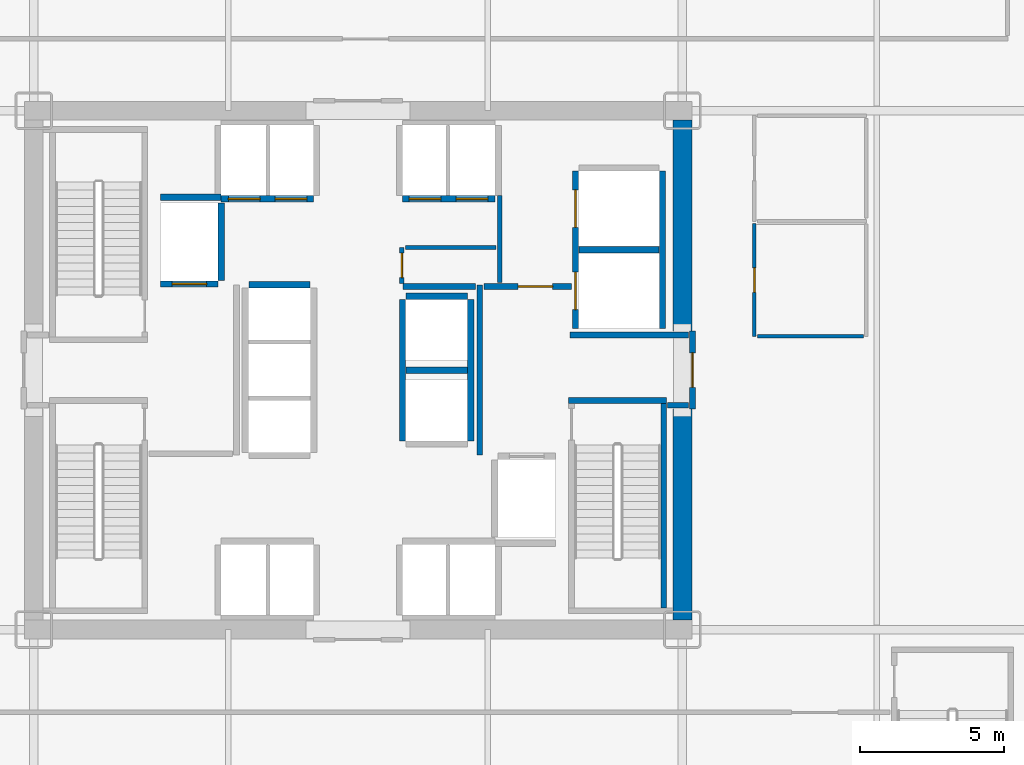
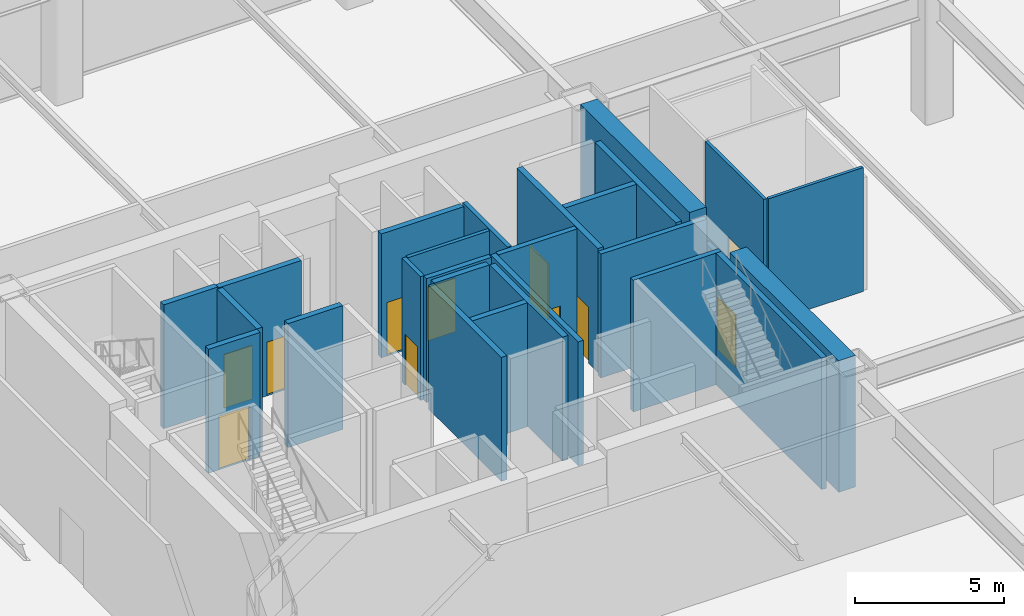
# One storey, part 18 of 24: 28 walls, 11 doors, 11 openings.
"""IFC4 building model written with IfcOpenShell, lengths in metres."""

from ifc_helpers import new_model, si_unit, direction, frame, frame_2d, origin, place, context, subcontext, project, spatial, rectangle, extrude, source, transform, mapped, material, layer, layer_set, type_object, element, fill, save


model = new_model("IFC4")

# Units and contexts
model_context = context("Model", 3, precision=1e-05, world=origin(), true_north=direction((0.0, 1.0)))
body_context = subcontext(model_context, "Body", "Model", "MODEL_VIEW")
ifc_project = project(units=[si_unit("LENGTHUNIT", "METRE"), si_unit("AREAUNIT", "SQUARE_METRE"), si_unit("VOLUMEUNIT", "CUBIC_METRE"), si_unit("PLANEANGLEUNIT", "RADIAN"), si_unit("MASSUNIT", "GRAM", prefix="KILO")], contexts=[model_context])

# Site, building, storey
site_placement = place(None, origin())
site = spatial("IfcSite", under=ifc_project, at=site_placement, CompositionType="ELEMENT")
building_placement = place(site_placement, origin())
building = spatial("IfcBuilding", under=site, at=building_placement, Name="Nefas-Gora Pilgrimage Tower", CompositionType="ELEMENT")
storey_placement = place(building_placement, frame((0.0, 0.0, 6.0)))
storey = spatial("IfcBuildingStorey", under=building, at=storey_placement, Name="L01", CompositionType="ELEMENT", Elevation=6.0)

# Walls
ifc_material_1 = material(Name="Concrete C60/75", Category="concrete")
ifc_layer_1 = layer(ifc_material_1, 0.64990234375)
ifc_layer_set_1 = layer_set([ifc_layer_1], Name="Concrete C60/75")
wall_type_1 = type_object("IfcWallType", Name="SW-CORE-650", PredefinedType="SHEAR", material=ifc_layer_set_1)
shared_shape_1 = source(origin(), body_context, "Body", "SweptSolid", [
    extrude(rectangle(XDim=7.324951171875, YDim=0.64990234375, at=frame_2d((3.66259765625, 0.0))), origin(), (0.0, 0.0, 1.0), 5.39990234375),
])
for number, where, z_axis, x_axis, name in (
    (1, (11.25, -8.675048828125, 0.0), (0.0, 0.0, 1.0), (0.0, 1.0, 0.0), "L01 Core Shear Wall E-South"),
    (2, (11.25, 1.35009765625, 0.0), (0.0, 0.0, 1.0), (0.0, 1.0, 0.0), "L01 Core Shear Wall E-North"),
):
    element("IfcWall", number, at=place(storey_placement, frame(where, z_axis=z_axis, x_axis=x_axis)), inside=storey, type_object=wall_type_1, Name=name, PredefinedType="SHEAR", context=body_context, shape_type="MappedRepresentation", body=[
        mapped(shared_shape_1, transform((0.0, 0.0, 0.0), x_axis=(1.0, 0.0, 0.0), y_axis=(0.0, 1.0, 0.0), z_axis=(0.0, 0.0, 1.0), scale=1.0)),
    ])
ifc_material_2 = material(Name="Concrete C45/55", Category="concrete")
ifc_layer_2 = layer(ifc_material_2, 0.199951171875)
ifc_layer_set_2 = layer_set([ifc_layer_2], Name="Concrete C45/55")
wall_type_2 = type_object("IfcWallType", Name="IW-STAIR-200", PredefinedType="SOLIDWALL", material=ifc_layer_set_2)
shared_shape_2 = source(origin(), body_context, "Body", "SweptSolid", [
    extrude(rectangle(XDim=3.39990234375, YDim=0.199951171875, at=frame_2d((1.699951171875, 0.0))), origin(), (0.0, 0.0, 1.0), 5.39990234375),
])
wall_1_placement = place(storey_placement, frame((7.300048828125, -1.050048828125, 0.0), z_axis=(0.0, 0.0, 1.0), x_axis=(1.0, 0.0, 0.0)))
element("IfcWall", 3, at=wall_1_placement, inside=storey, type_object=wall_type_2, Name="L01 Stairwell Shear Wall ST-02-near", PredefinedType="SOLIDWALL", context=body_context, shape_type="MappedRepresentation", body=[
    mapped(shared_shape_2, transform((0.0, 0.0, 0.0), x_axis=(1.0, 0.0, 0.0), y_axis=(0.0, 1.0, 0.0), z_axis=(0.0, 0.0, 1.0), scale=1.0)),
])
shared_shape_3 = source(origin(), body_context, "Body", "SweptSolid", [
    extrude(rectangle(XDim=7.10009765625, YDim=0.199951171875, at=frame_2d((3.550048828125, 0.0))), origin(), (0.0, 0.0, 1.0), 5.39990234375),
])
wall_2_placement = place(storey_placement, frame((10.60009765625, -1.14990234375, 0.0), z_axis=(0.0, 0.0, 1.0), x_axis=(0.0, -1.0, 0.0)))
element("IfcWall", 4, at=wall_2_placement, inside=storey, type_object=wall_type_2, Name="L01 Stairwell Shear Wall ST-02-right", PredefinedType="SOLIDWALL", context=body_context, shape_type="MappedRepresentation", body=[
    mapped(shared_shape_3, transform((0.0, 0.0, 0.0), x_axis=(1.0, 0.0, 0.0), y_axis=(0.0, 1.0, 0.0), z_axis=(0.0, 0.0, 1.0), scale=1.0)),
])

# Wall, opening, door
ifc_material_3 = material(Name="Concrete C40/50", Category="concrete")
ifc_layer_3 = layer(ifc_material_3, 0.219970703125)
ifc_layer_set_3 = layer_set([ifc_layer_3], Name="Concrete C40/50")
wall_type_3 = type_object("IfcWallType", Name="IW-SHAFT-220", PredefinedType="SOLIDWALL", material=ifc_layer_set_3)
shared_shape_4 = source(origin(), body_context, "Body", "SweptSolid", [
    extrude(rectangle(XDim=2.0, YDim=0.219970703125, at=frame_2d((1.0, 0.0))), origin(), (0.0, 0.0, 1.0), 5.0849609375),
])
wall_3_placement = place(storey_placement, frame((-6.85009765625, 2.989990234375, 0.0), z_axis=(0.0, 0.0, 1.0), x_axis=(1.0, 0.0, 0.0)))
wall_3 = element("IfcWall", 5, at=wall_3_placement, inside=storey, type_object=wall_type_3, Name="L01 Hoistway Wall FFL-01-S", PredefinedType="SOLIDWALL", context=body_context, shape_type="MappedRepresentation", body=[
    mapped(shared_shape_4, transform((0.0, 0.0, 0.0), x_axis=(1.0, 0.0, 0.0), y_axis=(0.0, 1.0, 0.0), z_axis=(0.0, 0.0, 1.0), scale=1.0)),
])
opening_1_placement = place(wall_3_placement, frame((0.39990234375, 0.0, 0.0)))
opening_1 = element("IfcOpeningElement", 6, at=opening_1_placement, cuts=wall_3, Name="Opening LD-FF", PredefinedType="OPENING", context=body_context, shape_type="SweptSolid", body=[
    extrude(rectangle(XDim=1.199951171875, YDim=2.199951171875, at=frame_2d((0.60009765625, 1.10009765625))), frame((0.0, 0.119873046875, 0.0), z_axis=(0.0, -1.0, 0.0), x_axis=(1.0, 0.0, 0.0)), (0.0, 0.0, 1.0), 0.239990234375),
])
ifc_material_4 = material(Name="Fire-service sliding lift landing door")
door_type_1 = type_object("IfcDoorType", Name="DR-LIFT-FSAE-1200", OperationType="SLIDING_TO_LEFT", PredefinedType="DOOR", material=ifc_material_4)
shared_shape_5 = source(origin(), body_context, "Body", "SweptSolid", [
    extrude(rectangle(XDim=1.199951171875, YDim=2.199951171875, at=frame_2d((0.60009765625, 1.10009765625))), frame((0.0, 0.02490234375, 0.0), z_axis=(0.0, -1.0, 0.0), x_axis=(1.0, 0.0, 0.0)), (0.0, 0.0, 1.0), 0.050048828125),
])
door_1_placement = place(opening_1_placement, origin())
door_1 = element("IfcDoor", 7, at=door_1_placement, inside=storey, type_object=door_type_1, Name="L01 Sliding Lift Landing Door FFL-01", OperationType="SLIDING_TO_LEFT", OverallHeight=2.199951171875, OverallWidth=1.199951171875, PredefinedType="DOOR", context=body_context, shape_type="MappedRepresentation", body=[
    mapped(shared_shape_5, transform((0.0, 0.0, 0.0), x_axis=(1.0, 0.0, 0.0), y_axis=(0.0, 1.0, 0.0), z_axis=(0.0, 0.0, 1.0), scale=1.0)),
])
fill(opening_1, door_1)

# Wall
shared_shape_6 = source(origin(), body_context, "Body", "SweptSolid", [
    extrude(rectangle(XDim=2.679931640625, YDim=0.219970703125, at=frame_2d((1.33984375, 0.0))), origin(), (0.0, 0.0, 1.0), 5.0849609375),
])
wall_4_placement = place(storey_placement, frame((-4.739990234375, 3.110107421875, 0.0), z_axis=(0.0, 0.0, 1.0), x_axis=(0.0, 1.0, 0.0)))
element("IfcWall", 8, at=wall_4_placement, inside=storey, type_object=wall_type_3, Name="L01 Hoistway Wall FFL-01-E", PredefinedType="SOLIDWALL", context=body_context, shape_type="MappedRepresentation", body=[
    mapped(shared_shape_6, transform((0.0, 0.0, 0.0), x_axis=(1.0, 0.0, 0.0), y_axis=(0.0, 1.0, 0.0), z_axis=(0.0, 0.0, 1.0), scale=1.0)),
])

# Wall, openings, doors
shared_shape_7 = source(origin(), body_context, "Body", "SweptSolid", [
    extrude(rectangle(XDim=5.449951171875, YDim=0.219970703125, at=frame_2d((2.72509765625, 0.0))), origin(), (0.0, 0.0, 1.0), 5.0849609375),
])
wall_5_placement = place(storey_placement, frame((7.5400390625, 6.89990234375, 0.0), z_axis=(0.0, 0.0, 1.0), x_axis=(0.0, -1.0, 0.0)))
wall_5 = element("IfcWall", 9, at=wall_5_placement, inside=storey, type_object=wall_type_3, Name="L01 Hoistway Wall SL-01-02-W", PredefinedType="SOLIDWALL", context=body_context, shape_type="MappedRepresentation", body=[
    mapped(shared_shape_7, transform((0.0, 0.0, 0.0), x_axis=(1.0, 0.0, 0.0), y_axis=(0.0, 1.0, 0.0), z_axis=(0.0, 0.0, 1.0), scale=1.0)),
])
opening_2_placement = place(wall_5_placement, frame((3.5, 0.0, 0.0)))
opening_2 = element("IfcOpeningElement", 10, at=opening_2_placement, cuts=wall_5, Name="Opening LD-SV", PredefinedType="OPENING", context=body_context, shape_type="SweptSolid", body=[
    extrude(rectangle(XDim=1.300048828125, YDim=2.300048828125, at=frame_2d((0.64990234375, 1.14990234375))), frame((0.0, 0.119873046875, 0.0), z_axis=(0.0, -1.0, 0.0), x_axis=(1.0, 0.0, 0.0)), (0.0, 0.0, 1.0), 0.239990234375),
])
opening_3_placement = place(wall_5_placement, frame((0.64990234375, 0.0, 0.0)))
opening_3 = element("IfcOpeningElement", 11, at=opening_3_placement, cuts=wall_5, Name="Opening LD-SV", PredefinedType="OPENING", context=body_context, shape_type="SweptSolid", body=[
    extrude(rectangle(XDim=1.300048828125, YDim=2.300048828125, at=frame_2d((0.64990234375, 1.14990234375))), frame((0.0, 0.119873046875, 0.0), z_axis=(0.0, -1.0, 0.0), x_axis=(1.0, 0.0, 0.0)), (0.0, 0.0, 1.0), 0.239990234375),
])
ifc_material_5 = material(Name="Heavy goods sliding lift landing door")
door_type_2 = type_object("IfcDoorType", Name="DR-LIFT-SERV-1300", OperationType="SLIDING_TO_RIGHT", PredefinedType="DOOR", material=ifc_material_5)
shared_shape_8 = source(origin(), body_context, "Body", "SweptSolid", [
    extrude(rectangle(XDim=1.300048828125, YDim=2.300048828125, at=frame_2d((0.64990234375, 1.14990234375))), frame((0.0, 0.02490234375, 0.0), z_axis=(0.0, -1.0, 0.0), x_axis=(1.0, 0.0, 0.0)), (0.0, 0.0, 1.0), 0.050048828125),
])
door_2_placement = place(opening_2_placement, origin())
door_2 = element("IfcDoor", 12, at=door_2_placement, inside=storey, type_object=door_type_2, Name="L01 Sliding Lift Landing Door SL-01", OperationType="SLIDING_TO_RIGHT", OverallHeight=2.300048828125, OverallWidth=1.300048828125, PredefinedType="DOOR", context=body_context, shape_type="MappedRepresentation", body=[
    mapped(shared_shape_8, transform((0.0, 0.0, 0.0), x_axis=(1.0, 0.0, 0.0), y_axis=(0.0, 1.0, 0.0), z_axis=(0.0, 0.0, 1.0), scale=1.0)),
])
fill(opening_2, door_2)
door_3_placement = place(opening_3_placement, origin())
door_3 = element("IfcDoor", 13, at=door_3_placement, inside=storey, type_object=door_type_2, Name="L01 Sliding Lift Landing Door SL-02", OperationType="SLIDING_TO_RIGHT", OverallHeight=2.300048828125, OverallWidth=1.300048828125, PredefinedType="DOOR", context=body_context, shape_type="MappedRepresentation", body=[
    mapped(shared_shape_8, transform((0.0, 0.0, 0.0), x_axis=(1.0, 0.0, 0.0), y_axis=(0.0, 1.0, 0.0), z_axis=(0.0, 0.0, 1.0), scale=1.0)),
])
fill(opening_3, door_3)

# Walls
wall_6_placement = place(storey_placement, frame((10.56005859375, 1.449951171875, 0.0), z_axis=(0.0, 0.0, 1.0), x_axis=(0.0, 1.0, 0.0)))
element("IfcWall", 14, at=wall_6_placement, inside=storey, type_object=wall_type_3, Name="L01 Hoistway Wall SL-01-02-E", PredefinedType="SOLIDWALL", context=body_context, shape_type="MappedRepresentation", body=[
    mapped(shared_shape_7, transform((0.0, 0.0, 0.0), x_axis=(1.0, 0.0, 0.0), y_axis=(0.0, 1.0, 0.0), z_axis=(0.0, 0.0, 1.0), scale=1.0)),
])
shared_shape_9 = source(origin(), body_context, "Body", "SweptSolid", [
    extrude(rectangle(XDim=2.780029296875, YDim=0.219970703125, at=frame_2d((1.39013671875, 0.0))), origin(), (0.0, 0.0, 1.0), 5.0849609375),
])
wall_7_placement = place(storey_placement, frame((7.659912109375, 4.175048828125, 0.0), z_axis=(0.0, 0.0, 1.0), x_axis=(1.0, 0.0, 0.0)))
element("IfcWall", 15, at=wall_7_placement, inside=storey, type_object=wall_type_3, Name="L01 Hoistway Wall SL-01-02-DIV", PredefinedType="SOLIDWALL", context=body_context, shape_type="MappedRepresentation", body=[
    mapped(shared_shape_9, transform((0.0, 0.0, 0.0), x_axis=(1.0, 0.0, 0.0), y_axis=(0.0, 1.0, 0.0), z_axis=(0.0, 0.0, 1.0), scale=1.0)),
])

# Wall, openings, doors
shared_shape_10 = source(origin(), body_context, "Body", "SweptSolid", [
    extrude(rectangle(XDim=3.199951171875, YDim=0.219970703125, at=frame_2d((1.60009765625, 0.0))), origin(), (0.0, 0.0, 1.0), 5.0849609375),
])
wall_8_placement = place(storey_placement, frame((-4.75, 5.93994140625, 0.0), z_axis=(0.0, 0.0, 1.0), x_axis=(1.0, 0.0, 0.0)))
wall_8 = element("IfcWall", 16, at=wall_8_placement, inside=storey, type_object=wall_type_3, Name="L01 Hoistway Wall PL1-W-S", PredefinedType="SOLIDWALL", context=body_context, shape_type="MappedRepresentation", body=[
    mapped(shared_shape_10, transform((0.0, 0.0, 0.0), x_axis=(1.0, 0.0, 0.0), y_axis=(0.0, 1.0, 0.0), z_axis=(0.0, 0.0, 1.0), scale=1.0)),
])
opening_4_placement = place(wall_8_placement, frame((0.25, 0.0, 0.0)))
opening_4 = element("IfcOpeningElement", 17, at=opening_4_placement, cuts=wall_8, Name="Opening LD-01", PredefinedType="OPENING", context=body_context, shape_type="SweptSolid", body=[
    extrude(rectangle(XDim=1.10009765625, YDim=2.199951171875, at=frame_2d((0.550048828125, 1.10009765625))), frame((0.0, 0.119873046875, 0.0), z_axis=(0.0, -1.0, 0.0), x_axis=(1.0, 0.0, 0.0)), (0.0, 0.0, 1.0), 0.239990234375),
])
opening_5_placement = place(wall_8_placement, frame((1.875, 0.0, 0.0)))
opening_5 = element("IfcOpeningElement", 18, at=opening_5_placement, cuts=wall_8, Name="Opening LD-01", PredefinedType="OPENING", context=body_context, shape_type="SweptSolid", body=[
    extrude(rectangle(XDim=1.10009765625, YDim=2.199951171875, at=frame_2d((0.550048828125, 1.10009765625))), frame((0.0, 0.119873046875, 0.0), z_axis=(0.0, -1.0, 0.0), x_axis=(1.0, 0.0, 0.0)), (0.0, 0.0, 1.0), 0.239990234375),
])
ifc_material_6 = material(Name="Brushed stainless sliding lift landing door")
door_type_3 = type_object("IfcDoorType", Name="DR-LIFT-PASS-1100", OperationType="DOUBLE_DOOR_SLIDING", PredefinedType="DOOR", material=ifc_material_6)
shared_shape_11 = source(origin(), body_context, "Body", "SweptSolid", [
    extrude(rectangle(XDim=1.10009765625, YDim=2.199951171875, at=frame_2d((0.550048828125, 1.10009765625))), frame((0.0, 0.02490234375, 0.0), z_axis=(0.0, -1.0, 0.0), x_axis=(1.0, 0.0, 0.0)), (0.0, 0.0, 1.0), 0.050048828125),
])
door_4_placement = place(opening_4_placement, origin())
door_4 = element("IfcDoor", 19, at=door_4_placement, inside=storey, type_object=door_type_3, Name="L01 Sliding Lift Landing Door PL1-01", OperationType="DOUBLE_DOOR_SLIDING", OverallHeight=2.199951171875, OverallWidth=1.10009765625, PredefinedType="DOOR", context=body_context, shape_type="MappedRepresentation", body=[
    mapped(shared_shape_11, transform((0.0, 0.0, 0.0), x_axis=(1.0, 0.0, 0.0), y_axis=(0.0, 1.0, 0.0), z_axis=(0.0, 0.0, 1.0), scale=1.0)),
])
fill(opening_4, door_4)
door_5_placement = place(opening_5_placement, origin())
door_5 = element("IfcDoor", 20, at=door_5_placement, inside=storey, type_object=door_type_3, Name="L01 Sliding Lift Landing Door PL1-02", OperationType="DOUBLE_DOOR_SLIDING", OverallHeight=2.199951171875, OverallWidth=1.10009765625, PredefinedType="DOOR", context=body_context, shape_type="MappedRepresentation", body=[
    mapped(shared_shape_11, transform((0.0, 0.0, 0.0), x_axis=(1.0, 0.0, 0.0), y_axis=(0.0, 1.0, 0.0), z_axis=(0.0, 0.0, 1.0), scale=1.0)),
])
fill(opening_5, door_5)

wall_9_placement = place(storey_placement, frame((1.550048828125, 5.93994140625, 0.0), z_axis=(0.0, 0.0, 1.0), x_axis=(1.0, 0.0, 0.0)))
wall_9 = element("IfcWall", 21, at=wall_9_placement, inside=storey, type_object=wall_type_3, Name="L01 Hoistway Wall PL1-E-S", PredefinedType="SOLIDWALL", context=body_context, shape_type="MappedRepresentation", body=[
    mapped(shared_shape_10, transform((0.0, 0.0, 0.0), x_axis=(1.0, 0.0, 0.0), y_axis=(0.0, 1.0, 0.0), z_axis=(0.0, 0.0, 1.0), scale=1.0)),
])
opening_6_placement = place(wall_9_placement, frame((0.22509765625, 0.0, 0.0)))
opening_6 = element("IfcOpeningElement", 22, at=opening_6_placement, cuts=wall_9, Name="Opening LD-01", PredefinedType="OPENING", context=body_context, shape_type="SweptSolid", body=[
    extrude(rectangle(XDim=1.10009765625, YDim=2.199951171875, at=frame_2d((0.550048828125, 1.10009765625))), frame((0.0, 0.119873046875, 0.0), z_axis=(0.0, -1.0, 0.0), x_axis=(1.0, 0.0, 0.0)), (0.0, 0.0, 1.0), 0.239990234375),
])
opening_7_placement = place(wall_9_placement, frame((1.85009765625, 0.0, 0.0)))
opening_7 = element("IfcOpeningElement", 23, at=opening_7_placement, cuts=wall_9, Name="Opening LD-01", PredefinedType="OPENING", context=body_context, shape_type="SweptSolid", body=[
    extrude(rectangle(XDim=1.10009765625, YDim=2.199951171875, at=frame_2d((0.550048828125, 1.10009765625))), frame((0.0, 0.119873046875, 0.0), z_axis=(0.0, -1.0, 0.0), x_axis=(1.0, 0.0, 0.0)), (0.0, 0.0, 1.0), 0.239990234375),
])
door_6_placement = place(opening_6_placement, origin())
door_6 = element("IfcDoor", 24, at=door_6_placement, inside=storey, type_object=door_type_3, Name="L01 Sliding Lift Landing Door PL1-03", OperationType="DOUBLE_DOOR_SLIDING", OverallHeight=2.199951171875, OverallWidth=1.10009765625, PredefinedType="DOOR", context=body_context, shape_type="MappedRepresentation", body=[
    mapped(shared_shape_11, transform((0.0, 0.0, 0.0), x_axis=(1.0, 0.0, 0.0), y_axis=(0.0, 1.0, 0.0), z_axis=(0.0, 0.0, 1.0), scale=1.0)),
])
fill(opening_6, door_6)
door_7_placement = place(opening_7_placement, origin())
door_7 = element("IfcDoor", 25, at=door_7_placement, inside=storey, type_object=door_type_3, Name="L01 Sliding Lift Landing Door PL1-04", OperationType="DOUBLE_DOOR_SLIDING", OverallHeight=2.199951171875, OverallWidth=1.10009765625, PredefinedType="DOOR", context=body_context, shape_type="MappedRepresentation", body=[
    mapped(shared_shape_11, transform((0.0, 0.0, 0.0), x_axis=(1.0, 0.0, 0.0), y_axis=(0.0, 1.0, 0.0), z_axis=(0.0, 0.0, 1.0), scale=1.0)),
])
fill(opening_7, door_7)

# Walls
shared_shape_12 = source(origin(), body_context, "Body", "SweptSolid", [
    extrude(rectangle(XDim=2.130126953125, YDim=0.219970703125, at=frame_2d((1.06494140625, 0.0))), origin(), (0.0, 0.0, 1.0), 5.0849609375),
])
for number, where, z_axis, x_axis, name in (
    (26, (-1.659912109375, 2.9599609375, 0.0), (0.0, 0.0, 1.0), (-1.0, 0.0, 0.0), "L01 Hoistway Wall PL3-03-N"),
    (27, (1.659912109375, 0.0, 0.0), (0.0, 0.0, 1.0), (1.0, 0.0, 0.0), "L01 Hoistway Wall OBS-01-02-DIV"),
    (28, (3.7900390625, 2.56005859375, 0.0), (0.0, 0.0, 1.0), (-1.0, 0.0, 0.0), "L01 Hoistway Wall OBS-02-N"),
):
    element("IfcWall", number, at=place(storey_placement, frame(where, z_axis=z_axis, x_axis=x_axis)), inside=storey, type_object=wall_type_3, Name=name, PredefinedType="SOLIDWALL", context=body_context, shape_type="MappedRepresentation", body=[
        mapped(shared_shape_12, transform((0.0, 0.0, 0.0), x_axis=(1.0, 0.0, 0.0), y_axis=(0.0, 1.0, 0.0), z_axis=(0.0, 0.0, 1.0), scale=1.0)),
    ])
shared_shape_13 = source(origin(), body_context, "Body", "SweptSolid", [
    extrude(rectangle(XDim=4.89990234375, YDim=0.219970703125, at=frame_2d((2.449951171875, 0.0))), origin(), (0.0, 0.0, 1.0), 5.0849609375),
])
for number, where, z_axis, x_axis, name in (
    (29, (1.5400390625, 2.449951171875, 0.0), (0.0, 0.0, 1.0), (0.0, -1.0, 0.0), "L01 Hoistway Wall OBS-01-02-W"),
    (30, (3.909912109375, -2.449951171875, 0.0), (0.0, 0.0, 1.0), (0.0, 1.0, 0.0), "L01 Hoistway Wall OBS-01-02-E"),
):
    element("IfcWall", number, at=place(storey_placement, frame(where, z_axis=z_axis, x_axis=x_axis)), inside=storey, type_object=wall_type_3, Name=name, PredefinedType="SOLIDWALL", context=body_context, shape_type="MappedRepresentation", body=[
        mapped(shared_shape_13, transform((0.0, 0.0, 0.0), x_axis=(1.0, 0.0, 0.0), y_axis=(0.0, 1.0, 0.0), z_axis=(0.0, 0.0, 1.0), scale=1.0)),
    ])
shared_shape_14 = source(origin(), body_context, "Body", "SweptSolid", [
    extrude(rectangle(XDim=2.09521484375, YDim=0.219970703125, at=frame_2d((1.047607421875, 0.0))), origin(), (0.0, 0.0, 1.0), 5.0849609375),
])
wall_10_placement = place(storey_placement, frame((-6.85009765625, 6.0, 0.0), z_axis=(0.0, 0.0, 1.0), x_axis=(1.0, 0.0, 0.0)))
element("IfcWall", 31, at=wall_10_placement, inside=storey, type_object=wall_type_3, Name="L01 Riser Shaft Wall 1", PredefinedType="SOLIDWALL", context=body_context, shape_type="MappedRepresentation", body=[
    mapped(shared_shape_14, transform((0.0, 0.0, 0.0), x_axis=(1.0, 0.0, 0.0), y_axis=(0.0, 1.0, 0.0), z_axis=(0.0, 0.0, 1.0), scale=1.0)),
])

# Wall, opening, door
ifc_material_7 = material(Name="Gypsum fire-rated shaftwall")
ifc_layer_4 = layer(ifc_material_7, 0.199951171875)
ifc_layer_set_4 = layer_set([ifc_layer_4], Name="Gypsum fire-rated shaftwall")
wall_type_4 = type_object("IfcWallType", Name="IW-FFLOB-200", PredefinedType="PARTITIONING", material=ifc_layer_set_4)
shared_shape_15 = source(origin(), body_context, "Body", "SweptSolid", [
    extrude(rectangle(XDim=2.7001953125, YDim=0.199951171875, at=frame_2d((1.35009765625, 0.0))), origin(), (0.0, 0.0, 1.0), 3.97509765625),
])
wall_11_placement = place(storey_placement, frame((11.60009765625, -1.35009765625, 0.0), z_axis=(0.0, 0.0, 1.0), x_axis=(0.0, 1.0, 0.0)))
wall_11 = element("IfcWall", 32, at=wall_11_placement, inside=storey, type_object=wall_type_4, Name="L01 FF Lobby East Portal Wall 8", PredefinedType="PARTITIONING", context=body_context, shape_type="MappedRepresentation", body=[
    mapped(shared_shape_15, transform((0.0, 0.0, 0.0), x_axis=(1.0, 0.0, 0.0), y_axis=(0.0, 1.0, 0.0), z_axis=(0.0, 0.0, 1.0), scale=1.0)),
])
opening_8_placement = place(wall_11_placement, frame((0.75, 0.0, 0.0)))
opening_8 = element("IfcOpeningElement", 33, at=opening_8_placement, cuts=wall_11, Name="Opening ID-FF1", PredefinedType="OPENING", context=body_context, shape_type="SweptSolid", body=[
    extrude(rectangle(XDim=1.199951171875, YDim=2.14990234375, at=frame_2d((0.60009765625, 1.074951171875))), frame((0.0, 0.10986328125, 0.0), z_axis=(0.0, -1.0, 0.0), x_axis=(1.0, 0.0, 0.0)), (0.0, 0.0, 1.0), 0.219970703125),
])
ifc_material_8 = material(Name="Smoke-sealed steel firefighting lobby door", Category="steel")
door_type_4 = type_object("IfcDoorType", Name="DR-INT-FFLOB-1200", OperationType="NOTDEFINED", PredefinedType="DOOR", material=ifc_material_8)
shared_shape_16 = source(origin(), body_context, "Body", "SweptSolid", [
    extrude(rectangle(XDim=1.199951171875, YDim=2.14990234375, at=frame_2d((0.60009765625, 1.074951171875))), frame((0.0, 0.02490234375, 0.0), z_axis=(0.0, -1.0, 0.0), x_axis=(1.0, 0.0, 0.0)), (0.0, 0.0, 1.0), 0.050048828125),
])
door_8_placement = place(opening_8_placement, origin())
door_8 = element("IfcDoor", 34, at=door_8_placement, inside=storey, type_object=door_type_4, Name="L01 FF Lobby East Portal Door 2", OperationType="SINGLE_SWING_RIGHT", OverallHeight=2.14990234375, OverallWidth=1.199951171875, PredefinedType="DOOR", context=body_context, shape_type="MappedRepresentation", body=[
    mapped(shared_shape_16, transform((0.0, 0.0, 0.0), x_axis=(1.0, 0.0, 0.0), y_axis=(0.0, 1.0, 0.0), z_axis=(0.0, 0.0, 1.0), scale=1.0)),
])
fill(opening_8, door_8)

# Walls
shared_shape_17 = source(origin(), body_context, "Body", "SweptSolid", [
    extrude(rectangle(XDim=5.89990234375, YDim=0.199951171875, at=frame_2d((2.949951171875, 0.0))), origin(), (0.0, 0.0, 1.0), 5.0849609375),
])
wall_12_placement = place(storey_placement, frame((4.219970703125, -2.949951171875, 0.0), z_axis=(0.0, 0.0, 1.0), x_axis=(0.0, 1.0, 0.0)))
element("IfcWall", 35, at=wall_12_placement, inside=storey, type_object=wall_type_4, Name="L01 FF Lobby East Inner Wall Wall 9", PredefinedType="PARTITIONING", context=body_context, shape_type="MappedRepresentation", body=[
    mapped(shared_shape_17, transform((0.0, 0.0, 0.0), x_axis=(1.0, 0.0, 0.0), y_axis=(0.0, 1.0, 0.0), z_axis=(0.0, 0.0, 1.0), scale=1.0)),
])
shared_shape_18 = source(origin(), body_context, "Body", "SweptSolid", [
    extrude(rectangle(XDim=0.719970703125, YDim=0.199951171875, at=frame_2d((0.35986328125, 0.0))), origin(), (0.0, 0.0, 1.0), 5.0849609375),
])
wall_13_placement = place(storey_placement, frame((10.739990234375, -1.219970703125, 0.0), z_axis=(0.0, 0.0, 1.0), x_axis=(1.0, 0.0, 0.0)))
element("IfcWall", 36, at=wall_13_placement, inside=storey, type_object=wall_type_4, Name="L01 FF Lobby East Throat S Wall 13", PredefinedType="PARTITIONING", context=body_context, shape_type="MappedRepresentation", body=[
    mapped(shared_shape_18, transform((0.0, 0.0, 0.0), x_axis=(1.0, 0.0, 0.0), y_axis=(0.0, 1.0, 0.0), z_axis=(0.0, 0.0, 1.0), scale=1.0)),
])
shared_shape_19 = source(origin(), body_context, "Body", "SweptSolid", [
    extrude(rectangle(XDim=2.52001953125, YDim=0.199951171875, at=frame_2d((1.260009765625, 0.0))), origin(), (0.0, 0.0, 1.0), 5.0849609375),
])
wall_14_placement = place(storey_placement, frame((1.56005859375, 2.89990234375, 0.0), z_axis=(0.0, 0.0, 1.0), x_axis=(1.0, 0.0, 0.0)))
element("IfcWall", 37, at=wall_14_placement, inside=storey, type_object=wall_type_4, Name="L01 FF Lobby East North Wall Wall 10", PredefinedType="PARTITIONING", context=body_context, shape_type="MappedRepresentation", body=[
    mapped(shared_shape_19, transform((0.0, 0.0, 0.0), x_axis=(1.0, 0.0, 0.0), y_axis=(0.0, 1.0, 0.0), z_axis=(0.0, 0.0, 1.0), scale=1.0)),
])

# Wall, opening, door
shared_shape_20 = source(origin(), body_context, "Body", "SweptSolid", [
    extrude(rectangle(XDim=3.039794921875, YDim=0.199951171875, at=frame_2d((1.52001953125, 0.0))), origin(), (0.0, 0.0, 1.0), 5.0849609375),
])
wall_15_placement = place(storey_placement, frame((4.360107421875, 2.89990234375, 0.0), z_axis=(0.0, 0.0, 1.0), x_axis=(1.0, 0.0, 0.0)))
wall_15 = element("IfcWall", 38, at=wall_15_placement, inside=storey, type_object=wall_type_4, Name="L01 FF Lobby East North Wall Wall 11", PredefinedType="PARTITIONING", context=body_context, shape_type="MappedRepresentation", body=[
    mapped(shared_shape_20, transform((0.0, 0.0, 0.0), x_axis=(1.0, 0.0, 0.0), y_axis=(0.0, 1.0, 0.0), z_axis=(0.0, 0.0, 1.0), scale=1.0)),
])
opening_9_placement = place(wall_15_placement, frame((1.18994140625, 0.0, 0.0)))
opening_9 = element("IfcOpeningElement", 39, at=opening_9_placement, cuts=wall_15, Name="Opening ID-PL1", PredefinedType="OPENING", context=body_context, shape_type="SweptSolid", body=[
    extrude(rectangle(XDim=1.199951171875, YDim=2.14990234375, at=frame_2d((0.60009765625, 1.074951171875))), frame((0.0, 0.10986328125, 0.0), z_axis=(0.0, -1.0, 0.0), x_axis=(1.0, 0.0, 0.0)), (0.0, 0.0, 1.0), 0.219970703125),
])
ifc_material_9 = material(Name="Heavy-duty steel plant room fire door", Category="steel")
door_type_5 = type_object("IfcDoorType", Name="DR-INT-PLANT-1200", OperationType="NOTDEFINED", PredefinedType="DOOR", material=ifc_material_9)
door_9_placement = place(opening_9_placement, origin())
door_9 = element("IfcDoor", 40, at=door_9_placement, inside=storey, type_object=door_type_5, Name="L01 Service Lift Lobby Door Door 3", OperationType="SINGLE_SWING_LEFT", OverallHeight=2.14990234375, OverallWidth=1.199951171875, PredefinedType="DOOR", context=body_context, shape_type="MappedRepresentation", body=[
    mapped(shared_shape_16, transform((0.0, 0.0, 0.0), x_axis=(1.0, 0.0, 0.0), y_axis=(0.0, 1.0, 0.0), z_axis=(0.0, 0.0, 1.0), scale=1.0)),
])
fill(opening_9, door_9)

# Walls
shared_shape_21 = source(origin(), body_context, "Body", "SweptSolid", [
    extrude(rectangle(XDim=4.10986328125, YDim=0.199951171875, at=frame_2d((2.054931640625, 0.0))), origin(), (0.0, 0.0, 1.0), 5.0849609375),
])
wall_16_placement = place(storey_placement, frame((7.35009765625, 1.219970703125, 0.0), z_axis=(0.0, 0.0, 1.0), x_axis=(1.0, 0.0, 0.0)))
element("IfcWall", 41, at=wall_16_placement, inside=storey, type_object=wall_type_4, Name="L01 FF Lobby East Throat N Wall 12", PredefinedType="PARTITIONING", context=body_context, shape_type="MappedRepresentation", body=[
    mapped(shared_shape_21, transform((0.0, 0.0, 0.0), x_axis=(1.0, 0.0, 0.0), y_axis=(0.0, 1.0, 0.0), z_axis=(0.0, 0.0, 1.0), scale=1.0)),
])
ifc_material_10 = material(Name="Gypsum acoustic stud partition")
ifc_layer_5 = layer(ifc_material_10, 0.159912109375)
ifc_layer_set_5 = layer_set([ifc_layer_5], Name="Gypsum acoustic stud partition")
wall_type_5 = type_object("IfcWallType", Name="IW-CORR-160", PredefinedType="PARTITIONING", material=ifc_layer_set_5)
shared_shape_22 = source(origin(), body_context, "Body", "SweptSolid", [
    extrude(rectangle(XDim=3.014892578125, YDim=0.159912109375, at=frame_2d((1.50732421875, 0.0))), origin(), (0.0, 0.0, 1.0), 5.0849609375),
])
wall_17_placement = place(storey_placement, frame((4.919921875, 3.0400390625, 0.0), z_axis=(0.0, 0.0, 1.0), x_axis=(0.0, 1.0, 0.0)))
element("IfcWall", 42, at=wall_17_placement, inside=storey, type_object=wall_type_5, Name="L01 Service Lift Lobby West Wall Wall 16", PredefinedType="PARTITIONING", context=body_context, shape_type="MappedRepresentation", body=[
    mapped(shared_shape_22, transform((0.0, 0.0, 0.0), x_axis=(1.0, 0.0, 0.0), y_axis=(0.0, 1.0, 0.0), z_axis=(0.0, 0.0, 1.0), scale=1.0)),
])

# Wall, opening, door
shared_shape_23 = source(origin(), body_context, "Body", "SweptSolid", [
    extrude(rectangle(XDim=1.25, YDim=0.159912109375, at=frame_2d((0.625, 0.0))), origin(), (0.0, 0.0, 1.0), 5.0849609375),
])
wall_18_placement = place(storey_placement, frame((1.52001953125, 3.010009765625, 0.0), z_axis=(0.0, 0.0, 1.0), x_axis=(0.0, 1.0, 0.0)))
wall_18 = element("IfcWall", 43, at=wall_18_placement, inside=storey, type_object=wall_type_5, Name="L01 Core Communications Room Wall 17", PredefinedType="PARTITIONING", context=body_context, shape_type="MappedRepresentation", body=[
    mapped(shared_shape_23, transform((0.0, 0.0, 0.0), x_axis=(1.0, 0.0, 0.0), y_axis=(0.0, 1.0, 0.0), z_axis=(0.0, 0.0, 1.0), scale=1.0)),
])
opening_10_placement = place(wall_18_placement, frame((0.199951171875, 0.0, 0.0)))
opening_10 = element("IfcOpeningElement", 44, at=opening_10_placement, cuts=wall_18, Name="Opening ID-BT1", PredefinedType="OPENING", context=body_context, shape_type="SweptSolid", body=[
    extrude(rectangle(XDim=0.85009765625, YDim=2.10009765625, at=frame_2d((0.425048828125, 1.050048828125))), frame((0.0, 0.08984375, 0.0), z_axis=(0.0, -1.0, 0.0), x_axis=(1.0, 0.0, 0.0)), (0.0, 0.0, 1.0), 0.179931640625),
])
ifc_material_11 = material(Name="Moisture-resistant fire-rated timber door", Category="wood")
door_type_6 = type_object("IfcDoorType", Name="DR-INT-BATH-850", OperationType="NOTDEFINED", PredefinedType="DOOR", material=ifc_material_11)
shared_shape_24 = source(origin(), body_context, "Body", "SweptSolid", [
    extrude(rectangle(XDim=0.85009765625, YDim=2.10009765625, at=frame_2d((0.425048828125, 1.050048828125))), frame((0.0, 0.02490234375, 0.0), z_axis=(0.0, -1.0, 0.0), x_axis=(1.0, 0.0, 0.0)), (0.0, 0.0, 1.0), 0.050048828125),
])
door_10_placement = place(opening_10_placement, origin())
door_10 = element("IfcDoor", 45, at=door_10_placement, inside=storey, type_object=door_type_6, Name="L01 Core Communications Room Door 6", OperationType="SINGLE_SWING_RIGHT", OverallHeight=2.10009765625, OverallWidth=0.85009765625, PredefinedType="DOOR", context=body_context, shape_type="MappedRepresentation", body=[
    mapped(shared_shape_24, transform((0.0, 0.0, 0.0), x_axis=(1.0, 0.0, 0.0), y_axis=(0.0, 1.0, 0.0), z_axis=(0.0, 0.0, 1.0), scale=1.0)),
])
fill(opening_10, door_10)

# Wall
ifc_material_12 = material(Name="Gypsum twin-stud partition")
ifc_layer_6 = layer(ifc_material_12, 0.139892578125)
ifc_layer_set_6 = layer_set([ifc_layer_6], Name="Gypsum twin-stud partition")
wall_type_6 = type_object("IfcWallType", Name="IW-UNIT-140", PredefinedType="PARTITIONING", material=ifc_layer_set_6)
shared_shape_25 = source(origin(), body_context, "Body", "SweptSolid", [
    extrude(rectangle(XDim=3.150146484375, YDim=0.139892578125, at=frame_2d((1.5751953125, 0.0))), origin(), (0.0, 0.0, 1.0), 5.0849609375),
])
wall_19_placement = place(storey_placement, frame((1.639892578125, 4.25, 0.0), z_axis=(0.0, 0.0, 1.0), x_axis=(1.0, 0.0, 0.0)))
element("IfcWall", 46, at=wall_19_placement, inside=storey, type_object=wall_type_6, Name="L01 Core Communications Room Partition Wall 18", PredefinedType="PARTITIONING", context=body_context, shape_type="MappedRepresentation", body=[
    mapped(shared_shape_25, transform((0.0, 0.0, 0.0), x_axis=(1.0, 0.0, 0.0), y_axis=(0.0, 1.0, 0.0), z_axis=(0.0, 0.0, 1.0), scale=1.0)),
])

# Wall, opening, door
ifc_material_13 = material(Name="Moisture-resistant fire-rated gypsum partition")
ifc_layer_7 = layer(ifc_material_13, 0.1201171875)
ifc_layer_set_7 = layer_set([ifc_layer_7], Name="Moisture-resistant fire-rated gypsum partition")
wall_type_7 = type_object("IfcWallType", Name="IW-WET-120", PredefinedType="PLUMBINGWALL", material=ifc_layer_set_7)
shared_shape_26 = source(origin(), body_context, "Body", "SweptSolid", [
    extrude(rectangle(XDim=3.93017578125, YDim=0.1201171875, at=frame_2d((1.965087890625, 0.0))), origin(), (0.0, 0.0, 1.0), 5.0849609375),
])
wall_20_placement = place(storey_placement, frame((13.75, 1.159912109375, 0.0), z_axis=(0.0, 0.0, 1.0), x_axis=(0.0, 1.0, 0.0)))
wall_20 = element("IfcWall", 47, at=wall_20_placement, inside=storey, type_object=wall_type_7, Name="L01 L01 Podium Public Washroom WC Partition Wall 23", PredefinedType="PLUMBINGWALL", context=body_context, shape_type="MappedRepresentation", body=[
    mapped(shared_shape_26, transform((0.0, 0.0, 0.0), x_axis=(1.0, 0.0, 0.0), y_axis=(0.0, 1.0, 0.0), z_axis=(0.0, 0.0, 1.0), scale=1.0)),
])
opening_11_placement = place(wall_20_placement, frame((1.5400390625, 0.0, 0.0)))
opening_11 = element("IfcOpeningElement", 48, at=opening_11_placement, cuts=wall_20, Name="Opening ID-BT1", PredefinedType="OPENING", context=body_context, shape_type="SweptSolid", body=[
    extrude(rectangle(XDim=0.85009765625, YDim=2.10009765625, at=frame_2d((0.425048828125, 1.050048828125))), frame((0.0, 0.070068359375, 0.0), z_axis=(0.0, -1.0, 0.0), x_axis=(1.0, 0.0, 0.0)), (0.0, 0.0, 1.0), 0.14013671875),
])
door_11_placement = place(opening_11_placement, origin())
door_11 = element("IfcDoor", 49, at=door_11_placement, inside=storey, type_object=door_type_6, Name="L01 L01 Podium Public Washroom WC Door 8", OperationType="SINGLE_SWING_RIGHT", OverallHeight=2.10009765625, OverallWidth=0.85009765625, PredefinedType="DOOR", context=body_context, shape_type="MappedRepresentation", body=[
    mapped(shared_shape_24, transform((0.0, 0.0, 0.0), x_axis=(1.0, 0.0, 0.0), y_axis=(0.0, 1.0, 0.0), z_axis=(0.0, 0.0, 1.0), scale=1.0)),
])
fill(opening_11, door_11)

# Wall
shared_shape_27 = source(origin(), body_context, "Body", "SweptSolid", [
    extrude(rectangle(XDim=3.679931640625, YDim=0.1201171875, at=frame_2d((1.83984375, 0.0))), origin(), (0.0, 0.0, 1.0), 5.0849609375),
])
wall_21_placement = place(storey_placement, frame((13.85009765625, 1.169921875, 0.0), z_axis=(0.0, 0.0, 1.0), x_axis=(1.0, 0.0, 0.0)))
element("IfcWall", 50, at=wall_21_placement, inside=storey, type_object=wall_type_7, Name="L01 L01 Podium Public Washroom WC Partition Wall 25", PredefinedType="PLUMBINGWALL", context=body_context, shape_type="MappedRepresentation", body=[
    mapped(shared_shape_27, transform((0.0, 0.0, 0.0), x_axis=(1.0, 0.0, 0.0), y_axis=(0.0, 1.0, 0.0), z_axis=(0.0, 0.0, 1.0), scale=1.0)),
])

save(model, "model.ifc")
